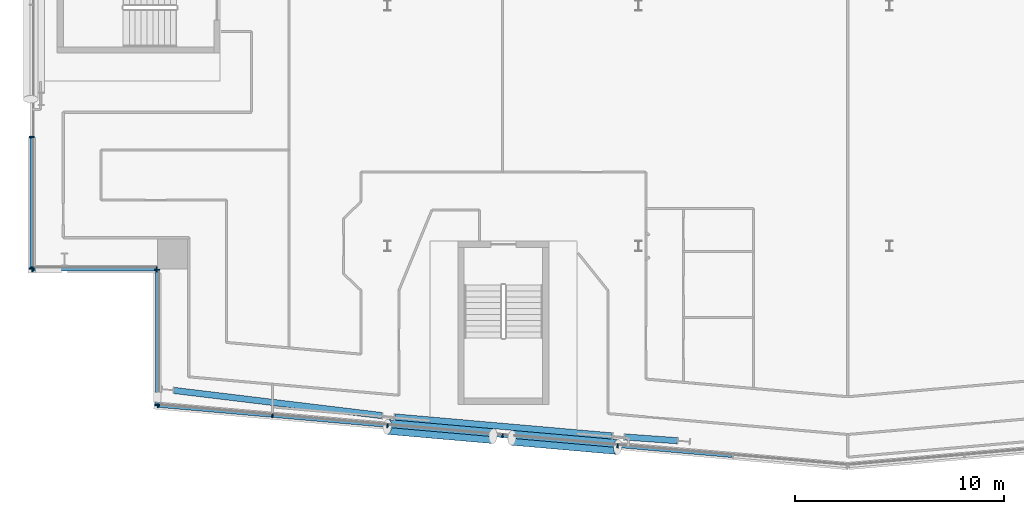
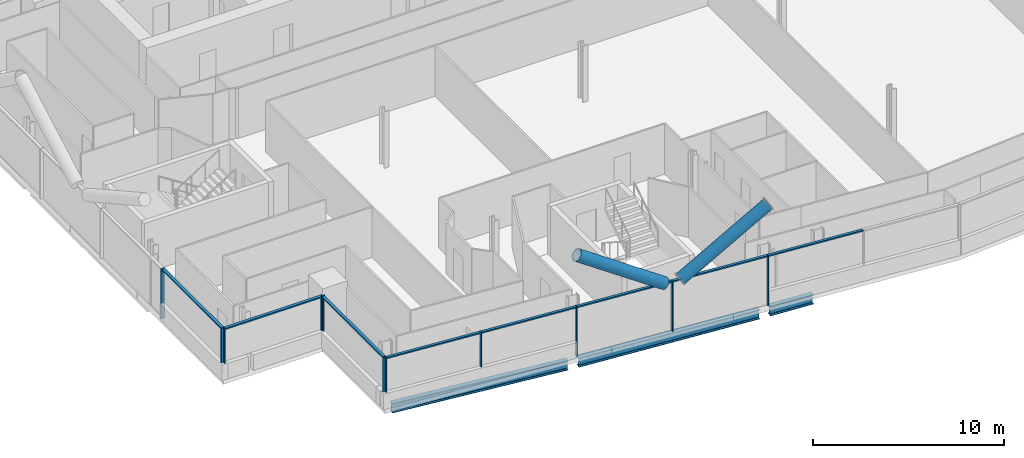
# One storey, part 6 of 28: 21 members, 3 beams, 4 elements without a shape of their own.
"""IFC4 building model written with IfcOpenShell, lengths in metres."""

from ifc_helpers import new_model, si_unit, direction, frame, origin, origin_2d, place, context, subcontext, project, spatial, rectangle, hollow_circle, i_section, extrude, material, material_profile, profile_set, type_object, element, aggregate, save


model = new_model("IFC4")

# Units and contexts
model_context = context("Model", 3, precision=1e-05, world=origin(), true_north=direction((0.0, 1.0)))
body_context = subcontext(model_context, "Body", "Model", "MODEL_VIEW")
ifc_project = project(units=[si_unit("LENGTHUNIT", "METRE"), si_unit("AREAUNIT", "SQUARE_METRE"), si_unit("VOLUMEUNIT", "CUBIC_METRE"), si_unit("PLANEANGLEUNIT", "RADIAN"), si_unit("MASSUNIT", "GRAM", prefix="KILO")], contexts=[model_context])

# Site, building, storey
site_placement = place(None, origin())
site = spatial("IfcSite", under=ifc_project, at=site_placement, CompositionType="ELEMENT")
building_placement = place(site_placement, origin())
building = spatial("IfcBuilding", under=site, at=building_placement, Name="Wharfspan Tower", CompositionType="ELEMENT")
storey_placement = place(building_placement, frame((0.0, 0.0, 187.899902)))
storey = spatial("IfcBuildingStorey", under=building, at=storey_placement, Name="L46", CompositionType="ELEMENT", Elevation=187.899902)

# Beams
ifc_material_1 = material(Name="Steel S355J2", Category="steel")
ifc_material_profile_1 = material_profile(ifc_material_1, i_section(OverallWidth=0.300049, OverallDepth=0.600098, WebThickness=0.015381, FlangeThickness=0.030029, FilletRadius=0.0271, at=origin_2d()))
ifc_profile_set_1 = profile_set([ifc_material_profile_1], Name="Steel S355J2")
beam_type = type_object("IfcBeamType", Name="Edge beam HEB 600", PredefinedType="SPANDREL", material=ifc_profile_set_1)
beam_1_placement = place(storey_placement, frame((13.794678, 4.600586, -0.699951), z_axis=(0.992758, -0.12013, 0.0), x_axis=(0.12013, 0.992758, 0.0)))
element("IfcBeam", 1, at=beam_1_placement, inside=storey, type_object=beam_type, Name="Edge beam S1 L46 PS1.1 to PS1.2", PredefinedType="SPANDREL", context=body_context, shape_type="SweptSolid", body=[
    extrude(i_section(OverallWidth=0.300049, OverallDepth=0.600098, WebThickness=0.015381, FlangeThickness=0.030029, FilletRadius=0.0271, at=origin_2d()), origin(), (0.0, 0.0, 1.0), 10.013184),
])
beam_2_placement = place(storey_placement, frame((24.343994, 3.334229, -0.699951), z_axis=(0.996196, -0.087146, 0.0), x_axis=(0.087146, 0.996196, 0.0)))
element("IfcBeam", 2, at=beam_2_placement, inside=storey, type_object=beam_type, Name="Edge beam S1 L46 PS1.2 to PS1.3", PredefinedType="SPANDREL", context=body_context, shape_type="SweptSolid", body=[
    extrude(i_section(OverallWidth=0.300049, OverallDepth=0.600098, WebThickness=0.015381, FlangeThickness=0.030029, FilletRadius=0.0271, at=origin_2d()), origin(), (0.0, 0.0, 1.0), 10.430176),
])
beam_3_placement = place(storey_placement, frame((35.344482, 2.376709, -0.699951), z_axis=(0.997423, -0.07175, 0.0), x_axis=(0.07175, 0.997423, 0.0)))
element("IfcBeam", 3, at=beam_3_placement, inside=storey, type_object=beam_type, Name="Edge beam S1 L46 PS1.3 to PS1.4", PredefinedType="SPANDREL", context=body_context, shape_type="SweptSolid", body=[
    extrude(i_section(OverallWidth=0.300049, OverallDepth=0.600098, WebThickness=0.015381, FlangeThickness=0.030029, FilletRadius=0.0271, at=origin_2d()), origin(), (0.0, 0.0, 1.0), 2.518066),
])

# Curtain wall, members
ifc_material_2 = material(Name="Aluminium 6063-T6", Category="aluminium")
curtain_wall_type_1 = type_object("IfcCurtainWallType", Name="CURTAIN WALL FACETED FRONT", PredefinedType="NOTDEFINED", material=ifc_material_2)
curtain_wall_1_placement = place(storey_placement, origin())
curtain_wall_1 = element("IfcCurtainWall", 4, at=curtain_wall_1_placement, inside=storey, type_object=curtain_wall_type_1, Name="Curtain wall S1", PredefinedType="NOTDEFINED")
ifc_material_profile_2 = material_profile(ifc_material_2, rectangle(XDim=0.199951, YDim=0.060059, at=origin_2d()))
ifc_profile_set_2 = profile_set([ifc_material_profile_2], Name="Aluminium 6063-T6")
member_type_1 = type_object("IfcMemberType", Name="MULLION FACETED FRONT 60x200", PredefinedType="MULLION", material=ifc_profile_set_2)
member_1_placement = place(storey_placement, frame((13.029785, 3.872559, 1.0), z_axis=(0.0, 0.0, 1.0), x_axis=(0.087156, 0.996198, 0.0)))
member_1 = element("IfcMember", 5, at=member_1_placement, type_object=member_type_1, Name="Curtain wall S1 mullion 1", PredefinedType="MULLION", context=body_context, shape_type="SweptSolid", body=[
    extrude(rectangle(XDim=0.199951, YDim=0.060059, at=origin_2d()), origin(), (0.0, 0.0, 1.0), 2.200195),
])
member_2_placement = place(storey_placement, frame((18.5, 3.393799, 1.0), z_axis=(0.0, 0.0, 1.0), x_axis=(0.087156, 0.996198, 0.0)))
member_2 = element("IfcMember", 6, at=member_2_placement, type_object=member_type_1, Name="Curtain wall S1 mullion 2", PredefinedType="MULLION", context=body_context, shape_type="SweptSolid", body=[
    extrude(rectangle(XDim=0.199951, YDim=0.060059, at=origin_2d()), origin(), (0.0, 0.0, 1.0), 2.200195),
])
member_3_placement = place(storey_placement, frame((24.0, 2.912598, 0.0), z_axis=(0.0, 0.0, 1.0), x_axis=(0.087156, 0.996198, 0.0)))
member_3 = element("IfcMember", 7, at=member_3_placement, type_object=member_type_1, Name="Curtain wall S1 mullion 3", PredefinedType="MULLION", context=body_context, shape_type="SweptSolid", body=[
    extrude(rectangle(XDim=0.199951, YDim=0.060059, at=origin_2d()), origin(), (0.0, 0.0, 1.0), 3.200195),
])
member_4_placement = place(storey_placement, frame((29.5, 2.431396, 0.0), z_axis=(0.0, 0.0, 1.0), x_axis=(0.087156, 0.996198, 0.0)))
member_4 = element("IfcMember", 8, at=member_4_placement, type_object=member_type_1, Name="Curtain wall S1 mullion 4", PredefinedType="MULLION", context=body_context, shape_type="SweptSolid", body=[
    extrude(rectangle(XDim=0.199951, YDim=0.060059, at=origin_2d()), origin(), (0.0, 0.0, 1.0), 3.200195),
])
member_5_placement = place(storey_placement, frame((35.0, 1.950195, 0.0), z_axis=(0.0, 0.0, 1.0), x_axis=(0.087156, 0.996198, 0.0)))
member_5 = element("IfcMember", 9, at=member_5_placement, type_object=member_type_1, Name="Curtain wall S1 mullion 5", PredefinedType="MULLION", context=body_context, shape_type="SweptSolid", body=[
    extrude(rectangle(XDim=0.199951, YDim=0.060059, at=origin_2d()), origin(), (0.0, 0.0, 1.0), 3.200195),
])

curtain_wall_type_2 = type_object("IfcCurtainWallType", Name="CURTAIN WALL PROW AND END", PredefinedType="NOTDEFINED", material=ifc_material_2)
curtain_wall_2_placement = place(storey_placement, origin())
curtain_wall_2 = element("IfcCurtainWall", 10, at=curtain_wall_2_placement, inside=storey, type_object=curtain_wall_type_2, Name="Curtain wall W", PredefinedType="NOTDEFINED")
ifc_material_profile_3 = material_profile(ifc_material_2, rectangle(XDim=0.23999, YDim=0.060059, at=origin_2d()))
ifc_profile_set_3 = profile_set([ifc_material_profile_3], Name="Aluminium 6063-T6")
member_type_2 = type_object("IfcMemberType", Name="MULLION PROW AND END 60x240", PredefinedType="MULLION", material=ifc_profile_set_3)
member_6_placement = place(storey_placement, frame((7.0, 16.719971, 0.0), z_axis=(0.0, 0.0, 1.0), x_axis=(1.0, 0.0, 0.0)))
member_6 = element("IfcMember", 11, at=member_6_placement, type_object=member_type_2, Name="Curtain wall W mullion 5", PredefinedType="MULLION", context=body_context, shape_type="SweptSolid", body=[
    extrude(rectangle(XDim=0.23999, YDim=0.060059, at=origin_2d()), origin(), (0.0, 0.0, 1.0), 3.200195),
])
member_7_placement = place(storey_placement, frame((7.0, 10.429932, 1.0), z_axis=(0.0, 0.0, 1.0), x_axis=(1.0, 0.0, 0.0)))
member_7 = element("IfcMember", 12, at=member_7_placement, type_object=member_type_2, Name="Curtain wall W mullion 6", PredefinedType="MULLION", context=body_context, shape_type="SweptSolid", body=[
    extrude(rectangle(XDim=0.23999, YDim=0.060059, at=origin_2d()), origin(), (0.0, 0.0, 1.0), 2.200195),
])

curtain_wall_3_placement = place(storey_placement, origin())
curtain_wall_3 = element("IfcCurtainWall", 13, at=curtain_wall_3_placement, inside=storey, type_object=curtain_wall_type_2, Name="Curtain wall NFW-H", PredefinedType="NOTDEFINED")
member_8_placement = place(storey_placement, frame((7.030029, 10.399902, 1.0), z_axis=(0.0, 0.0, 1.0), x_axis=(0.0, 1.0, 0.0)))
member_8 = element("IfcMember", 14, at=member_8_placement, type_object=member_type_2, Name="Curtain wall NFW-H mullion 1", PredefinedType="MULLION", context=body_context, shape_type="SweptSolid", body=[
    extrude(rectangle(XDim=0.23999, YDim=0.060059, at=origin_2d()), origin(), (0.0, 0.0, 1.0), 2.200195),
])
member_9_placement = place(storey_placement, frame((12.969971, 10.399902, 1.0), z_axis=(0.0, 0.0, 1.0), x_axis=(0.0, 1.0, 0.0)))
member_9 = element("IfcMember", 15, at=member_9_placement, type_object=member_type_2, Name="Curtain wall NFW-H mullion 2", PredefinedType="MULLION", context=body_context, shape_type="SweptSolid", body=[
    extrude(rectangle(XDim=0.23999, YDim=0.060059, at=origin_2d()), origin(), (0.0, 0.0, 1.0), 2.200195),
])

curtain_wall_4_placement = place(storey_placement, origin())
curtain_wall_4 = element("IfcCurtainWall", 16, at=curtain_wall_4_placement, inside=storey, type_object=curtain_wall_type_2, Name="Curtain wall NFW-V", PredefinedType="NOTDEFINED")
member_10_placement = place(storey_placement, frame((13.0, 10.370117, 1.0), z_axis=(0.0, 0.0, 1.0), x_axis=(1.0, 0.0, 0.0)))
member_10 = element("IfcMember", 17, at=member_10_placement, type_object=member_type_2, Name="Curtain wall NFW-V mullion 1", PredefinedType="MULLION", context=body_context, shape_type="SweptSolid", body=[
    extrude(rectangle(XDim=0.23999, YDim=0.060059, at=origin_2d()), origin(), (0.0, 0.0, 1.0), 2.200195),
])
member_11_placement = place(storey_placement, frame((13.0, 3.905029, 1.0), z_axis=(0.0, 0.0, 1.0), x_axis=(1.0, 0.0, 0.0)))
member_11 = element("IfcMember", 18, at=member_11_placement, type_object=member_type_2, Name="Curtain wall NFW-V mullion 2", PredefinedType="MULLION", context=body_context, shape_type="SweptSolid", body=[
    extrude(rectangle(XDim=0.23999, YDim=0.060059, at=origin_2d()), origin(), (0.0, 0.0, 1.0), 2.200195),
])

# Members
ifc_material_3 = material(Name="Steel S460NH", Category="steel")
ifc_material_profile_4 = material_profile(ifc_material_3, hollow_circle(Radius=0.355469, WallThickness=0.035889, at=origin_2d()))
ifc_profile_set_4 = profile_set([ifc_material_profile_4], Name="Steel S460NH")
member_type_3 = type_object("IfcMemberType", Name="Mega brace CHS 711x36", PredefinedType="BRACE", material=ifc_profile_set_4)
for number, where, z_axis, x_axis, name in (
    (19, (29.947021, 2.337158, 3.195801), (0.834469, -0.073006, 0.546197), (0.087156, 0.996198, -1e-06), "Mega brace S1 L46 part 2"),
    (20, (29.043213, 2.41626, 3.195801), (-0.834469, 0.073006, 0.546197), (-0.087156, -0.996198, -1e-06), "Mega brace S1 L46 part 4"),
):
    element("IfcMember", number, at=place(storey_placement, frame(where, z_axis=z_axis, x_axis=x_axis)), inside=storey, type_object=member_type_3, Name=name, PredefinedType="BRACE", context=body_context, shape_type="SweptSolid", body=[
        extrude(hollow_circle(Radius=0.355469, WallThickness=0.035889, at=origin_2d()), origin(), (0.0, 0.0, 1.0), 6.049561),
    ])

# Member
ifc_material_profile_5 = material_profile(ifc_material_2, rectangle(XDim=0.159912, YDim=0.080078, at=origin_2d()))
ifc_profile_set_5 = profile_set([ifc_material_profile_5], Name="Aluminium 6063-T6")
member_type_4 = type_object("IfcMemberType", Name="TRANSOM FACETED FRONT 80x160", PredefinedType="USERDEFINED", material=ifc_profile_set_5)
member_12_placement = place(storey_placement, frame((13.059814, 3.869873, 3.160156), z_axis=(0.996194, -0.087163, 0.0), x_axis=(0.087163, 0.996194, 0.0)))
member_12 = element("IfcMember", 21, at=member_12_placement, type_object=member_type_4, Name="Curtain wall S1 transom 1", ObjectType="TRANSOM", PredefinedType="USERDEFINED", context=body_context, shape_type="SweptSolid", body=[
    extrude(rectangle(XDim=0.159912, YDim=0.080078, at=origin_2d()), origin(), (0.0, 0.0, 1.0), 5.431152),
])

member_13_placement = place(storey_placement, frame((18.529785, 3.391357, 3.160156), z_axis=(0.996193, -0.087174, 0.0), x_axis=(0.087174, 0.996193, 0.0)))
member_13 = element("IfcMember", 22, at=member_13_placement, type_object=member_type_4, Name="Curtain wall S1 transom 2", ObjectType="TRANSOM", PredefinedType="USERDEFINED", context=body_context, shape_type="SweptSolid", body=[
    extrude(rectangle(XDim=0.159912, YDim=0.080078, at=origin_2d()), origin(), (0.0, 0.0, 1.0), 5.461182),
])

member_14_placement = place(storey_placement, frame((24.029785, 2.910156, 3.160156), z_axis=(0.996193, -0.087174, 0.0), x_axis=(0.087174, 0.996193, 0.0)))
member_14 = element("IfcMember", 23, at=member_14_placement, type_object=member_type_4, Name="Curtain wall S1 transom 3", ObjectType="TRANSOM", PredefinedType="USERDEFINED", context=body_context, shape_type="SweptSolid", body=[
    extrude(rectangle(XDim=0.159912, YDim=0.080078, at=origin_2d()), origin(), (0.0, 0.0, 1.0), 5.461182),
])

member_15_placement = place(storey_placement, frame((29.529785, 2.428955, 3.160156), z_axis=(0.996193, -0.087174, 0.0), x_axis=(0.087174, 0.996193, 0.0)))
member_15 = element("IfcMember", 24, at=member_15_placement, type_object=member_type_4, Name="Curtain wall S1 transom 4", ObjectType="TRANSOM", PredefinedType="USERDEFINED", context=body_context, shape_type="SweptSolid", body=[
    extrude(rectangle(XDim=0.159912, YDim=0.080078, at=origin_2d()), origin(), (0.0, 0.0, 1.0), 5.461182),
])

member_16_placement = place(storey_placement, frame((35.029785, 1.947754, 3.160156), z_axis=(0.996193, -0.087174, 0.0), x_axis=(0.087174, 0.996193, 0.0)))
member_16 = element("IfcMember", 25, at=member_16_placement, type_object=member_type_4, Name="Curtain wall S1 transom 5", ObjectType="TRANSOM", PredefinedType="USERDEFINED", context=body_context, shape_type="SweptSolid", body=[
    extrude(rectangle(XDim=0.159912, YDim=0.080078, at=origin_2d()), origin(), (0.0, 0.0, 1.0), 5.461182),
])

aggregate(curtain_wall_1, [member_1, member_2, member_3, member_4, member_5, member_12, member_13, member_14, member_15, member_16])

ifc_material_profile_6 = material_profile(ifc_material_2, rectangle(XDim=0.179932, YDim=0.080078, at=origin_2d()))
ifc_profile_set_6 = profile_set([ifc_material_profile_6], Name="Aluminium 6063-T6")
member_type_5 = type_object("IfcMemberType", Name="TRANSOM PROW AND END 80x180", PredefinedType="USERDEFINED", material=ifc_profile_set_6)
member_17_placement = place(storey_placement, frame((7.0, 16.689941, 3.160156), z_axis=(0.0, -1.0, 0.0), x_axis=(1.0, 0.0, 0.0)))
member_17 = element("IfcMember", 26, at=member_17_placement, type_object=member_type_5, Name="Curtain wall W transom 5", ObjectType="TRANSOM", PredefinedType="USERDEFINED", context=body_context, shape_type="SweptSolid", body=[
    extrude(rectangle(XDim=0.179932, YDim=0.080078, at=origin_2d()), origin(), (0.0, 0.0, 1.0), 6.22998),
])

aggregate(curtain_wall_2, [member_6, member_7, member_17])

member_18_placement = place(storey_placement, frame((7.060059, 10.399902, 3.160156), z_axis=(1.0, 0.0, 0.0), x_axis=(0.0, 1.0, 0.0)))
member_18 = element("IfcMember", 27, at=member_18_placement, type_object=member_type_5, Name="Curtain wall NFW-H transom 1", ObjectType="TRANSOM", PredefinedType="USERDEFINED", context=body_context, shape_type="SweptSolid", body=[
    extrude(rectangle(XDim=0.179932, YDim=0.080078, at=origin_2d()), origin(), (0.0, 0.0, 1.0), 5.879883),
])

aggregate(curtain_wall_3, [member_8, member_9, member_18])

member_19_placement = place(storey_placement, frame((13.0, 10.340088, 3.160156), z_axis=(0.0, -1.0, 0.0), x_axis=(1.0, 0.0, 0.0)))
member_19 = element("IfcMember", 28, at=member_19_placement, type_object=member_type_5, Name="Curtain wall NFW-V transom 1", ObjectType="TRANSOM", PredefinedType="USERDEFINED", context=body_context, shape_type="SweptSolid", body=[
    extrude(rectangle(XDim=0.179932, YDim=0.080078, at=origin_2d()), origin(), (0.0, 0.0, 1.0), 6.405029),
])

aggregate(curtain_wall_4, [member_10, member_11, member_19])

save(model, "model.ifc")
